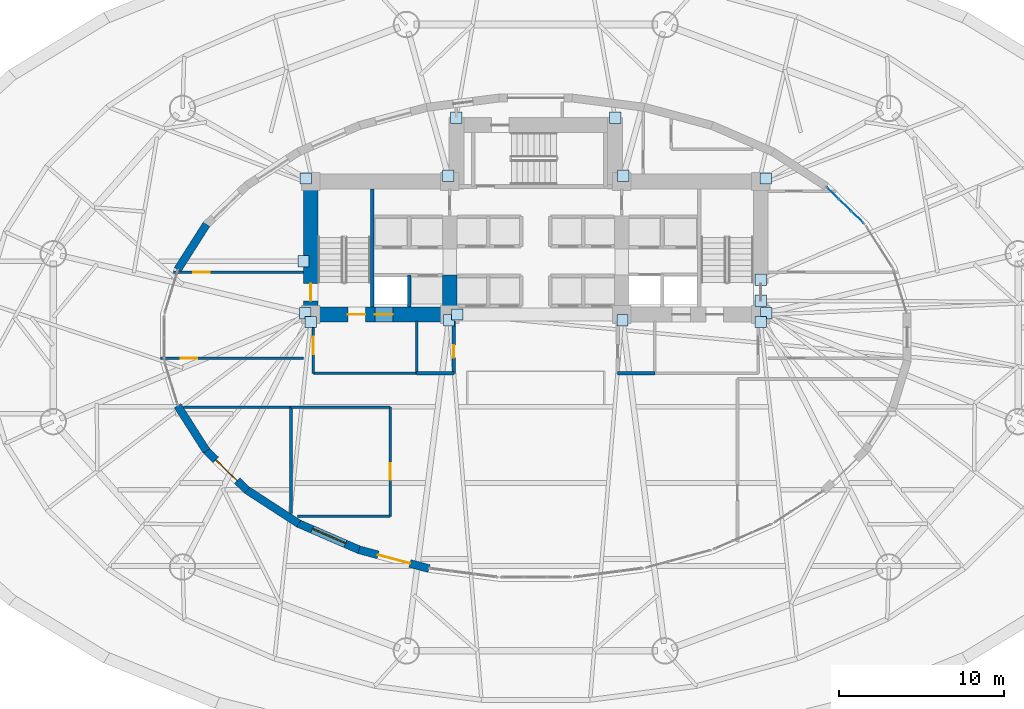
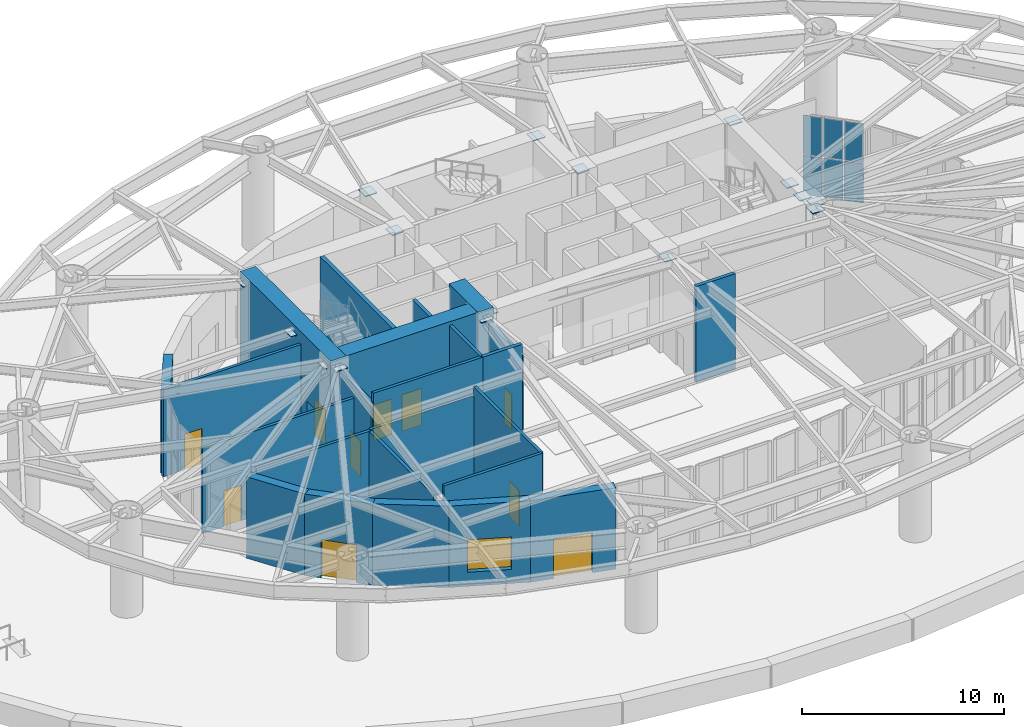
# One storey, part 13 of 21: 24 walls, 22 plates, 10 doors, 1 window, 11 openings, 1 element without a shape of its own.
"""IFC4 building model written with IfcOpenShell, lengths in metres."""

from ifc_helpers import new_model, si_unit, direction, frame, frame_2d, origin, origin_2d, place, context, subcontext, project, spatial, rectangle, extrude, material, layer, layer_set, type_object, element, fill, aggregate, save


model = new_model("IFC4")

# Units and contexts
model_context = context("Model", 3, precision=1e-05, world=origin(), true_north=direction((0.0, 1.0)))
body_context = subcontext(model_context, "Body", "Model", "MODEL_VIEW")
ifc_project = project(units=[si_unit("LENGTHUNIT", "METRE"), si_unit("AREAUNIT", "SQUARE_METRE"), si_unit("VOLUMEUNIT", "CUBIC_METRE"), si_unit("PLANEANGLEUNIT", "RADIAN"), si_unit("MASSUNIT", "GRAM", prefix="KILO")], contexts=[model_context])

# Site, building, storey
site_placement = place(None, origin())
site = spatial("IfcSite", under=ifc_project, at=site_placement, CompositionType="ELEMENT")
building_placement = place(site_placement, origin())
building = spatial("IfcBuilding", under=site, at=building_placement, Name="Keldmark Tower", CompositionType="ELEMENT")
storey_placement = place(building_placement, origin())
storey = spatial("IfcBuildingStorey", under=building, at=storey_placement, Name="L00", CompositionType="ELEMENT", Elevation=0.0)

# Plates
ifc_material_1 = material(Name="Steel ASTM A572 Grade 50", Category="steel")
ifc_layer_1 = layer(ifc_material_1, 0.06005859375)
ifc_layer_set_1 = layer_set([ifc_layer_1], Name="Steel ASTM A572 Grade 50")
plate_type_1 = type_object("IfcPlateType", Name="Belt Truss Kink Node Assembly KN01 60 mm", PredefinedType="USERDEFINED", material=ifc_layer_set_1)
for number, where, z_axis, x_axis, name in (
    (1, (13.940673828125, 1.48046875, 5.44140625), (0.0, 0.0, 1.0), (1.0, 0.0, 0.0), "L00 Core Wall Cast-In Embed Plate 017"),
    (2, (13.904296875, 9.623046875, 5.44140625), (0.0, 0.0, 1.0), (1.0, 0.0, 0.0), "L00 Core Wall Cast-In Embed Plate 018"),
    (3, (5.293212890625, 9.787353515625, 5.44140625), (0.0, 0.0, 1.0), (1.0, 0.0, 0.0), "L00 Core Wall Cast-In Embed Plate 019"),
    (4, (-5.293212890625, 9.787353515625, 5.44140625), (0.0, 0.0, 1.0), (1.0, 0.0, 0.0), "L00 Core Wall Cast-In Embed Plate 020"),
    (5, (-13.904296875, 9.623046875, 5.44140625), (0.0, 0.0, 1.0), (1.0, 0.0, 0.0), "L00 Core Wall Cast-In Embed Plate 021"),
    (6, (-13.940673828125, 1.48046875, 5.44140625), (0.0, 0.0, 1.0), (1.0, 0.0, 0.0), "L00 Core Wall Cast-In Embed Plate 022"),
    (7, (-5.24462890625, 1.052978515625, 5.44140625), (0.0, 0.0, 1.0), (1.0, 0.0, 0.0), "L00 Core Wall Cast-In Embed Plate 023"),
    (8, (5.24462890625, 1.052978515625, 5.44140625), (0.0, 0.0, 1.0), (1.0, 0.0, 0.0), "L00 Core Wall Cast-In Embed Plate 024"),
    (9, (13.60009765625, 2.228515625, 5.48388671875), (0.0, 0.0, 1.0), (1.0, 0.0, 0.0), "L00 Core Wall Cast-In Embed Plate 025"),
    (10, (13.60009765625, 3.507080078125, 5.48388671875), (0.0, 0.0, 1.0), (1.0, 0.0, 0.0), "L00 Core Wall Cast-In Embed Plate 026"),
    (11, (4.800048828125, 13.300048828125, 5.48388671875), (0.0, 0.0, 1.0), (1.0, 0.0, 0.0), "L00 Core Wall Cast-In Embed Plate 027"),
    (12, (-4.800048828125, 13.300048828125, 5.48388671875), (0.0, 0.0, 1.0), (1.0, 0.0, 0.0), "L00 Core Wall Cast-In Embed Plate 028"),
    (13, (-13.60009765625, 0.949951171875, 5.48388671875), (0.0, 0.0, 1.0), (1.0, 0.0, 0.0), "L00 Core Wall Cast-In Embed Plate 029"),
    (14, (13.60009765625, 0.949951171875, 5.48388671875), (0.0, 0.0, 1.0), (1.0, 0.0, 0.0), "L00 Core Wall Cast-In Embed Plate 030"),
    (15, (-4.75, 1.39990234375, 5.48388671875), (0.0, 0.0, 1.0), (1.0, 0.0, 0.0), "L00 Core Wall Cast-In Embed Plate 031"),
    (16, (-14.044921875, 4.6201171875, 5.52099609375), (0.0, 0.0, 1.0), (1.0, 0.0, 0.0), "L00 Core Wall Cast-In Embed Plate 032"),
):
    element("IfcPlate", number, at=place(storey_placement, frame(where, z_axis=z_axis, x_axis=x_axis)), inside=storey, type_object=plate_type_1, Name=name, ObjectType="CAP PLATE", PredefinedType="USERDEFINED", context=body_context, shape_type="SweptSolid", body=[
        extrude(rectangle(XDim=0.679931640625, YDim=0.679931640625, at=origin_2d()), origin(), (0.0, 0.0, 1.0), 0.054931640625),
    ])

# Curtain wall, plates
ifc_material_2 = material(Name="Unitized Thermally Broken Aluminum and Triple Low-E Glazing", Category="aluminium")
ifc_layer_2 = layer(ifc_material_2, 0.219970703125)
ifc_layer_set_2 = layer_set([ifc_layer_2], Name="Unitized Thermally Broken Aluminum and Triple Low-E Glazing")
curtain_wall_type = type_object("IfcCurtainWallType", Name="Skyway Entry Glazed Curtain Wall System", PredefinedType="NOTDEFINED", material=ifc_layer_set_2)
curtain_wall_placement = place(storey_placement, origin())
curtain_wall = element("IfcCurtainWall", 17, at=curtain_wall_placement, inside=storey, type_object=curtain_wall_type, Name="L00 Skyway Entry Glazed Curtain Wall System CW-L00-03", PredefinedType="NOTDEFINED")
ifc_material_3 = material(Name="Triple Silver Low-E Insulated Glass Unit", Category="glass")
ifc_layer_3 = layer(ifc_material_3, 0.035888671875)
ifc_layer_set_3 = layer_set([ifc_layer_3], Name="Triple Silver Low-E Insulated Glass Unit")
plate_type_2 = type_object("IfcPlateType", Name="Triple Low-E Vision Glazing Panel 36 mm", PredefinedType="CURTAIN_PANEL", material=ifc_layer_set_3)
plate_1_placement = place(storey_placement, frame((19.448974609375, 7.2822265625, 0.06005859375), z_axis=(0.0, 0.0, 1.0), x_axis=(-0.717293292608, 0.696771363059, 0.0)))
plate_1 = element("IfcPlate", 18, at=plate_1_placement, type_object=plate_type_2, Name="CW panel 1.1", PredefinedType="CURTAIN_PANEL", context=body_context, shape_type="SweptSolid", body=[
    extrude(rectangle(XDim=0.970703125, YDim=0.035888671875, at=origin_2d()), origin(), (0.0, 0.0, 1.0), 2.364501953125),
])
plate_2_placement = place(storey_placement, frame((19.448974609375, 7.2822265625, 2.484375), z_axis=(0.0, 0.0, 1.0), x_axis=(-0.717293292608, 0.696771363059, 0.0)))
plate_2 = element("IfcPlate", 19, at=plate_2_placement, type_object=plate_type_2, Name="CW panel 1.2", PredefinedType="CURTAIN_PANEL", context=body_context, shape_type="SweptSolid", body=[
    extrude(rectangle(XDim=0.970703125, YDim=0.035888671875, at=origin_2d()), origin(), (0.0, 0.0, 1.0), 2.364501953125),
])
plate_3_placement = place(storey_placement, frame((18.698974609375, 8.0107421875, 0.06005859375), z_axis=(0.0, 0.0, 1.0), x_axis=(-0.717293292608, 0.696771363059, 0.0)))
plate_3 = element("IfcPlate", 20, at=plate_3_placement, type_object=plate_type_2, Name="CW panel 2.1", PredefinedType="CURTAIN_PANEL", context=body_context, shape_type="SweptSolid", body=[
    extrude(rectangle(XDim=1.000732421875, YDim=0.035888671875, at=origin_2d()), origin(), (0.0, 0.0, 1.0), 2.364501953125),
])
plate_4_placement = place(storey_placement, frame((18.698974609375, 8.0107421875, 2.484375), z_axis=(0.0, 0.0, 1.0), x_axis=(-0.717293292608, 0.696771363059, 0.0)))
plate_4 = element("IfcPlate", 21, at=plate_4_placement, type_object=plate_type_2, Name="CW panel 2.2", PredefinedType="CURTAIN_PANEL", context=body_context, shape_type="SweptSolid", body=[
    extrude(rectangle(XDim=1.000732421875, YDim=0.035888671875, at=origin_2d()), origin(), (0.0, 0.0, 1.0), 2.364501953125),
])
plate_5_placement = place(storey_placement, frame((17.948974609375, 8.7392578125, 0.06005859375), z_axis=(0.0, 0.0, 1.0), x_axis=(-0.717293292608, 0.696771363059, 0.0)))
plate_5 = element("IfcPlate", 22, at=plate_5_placement, type_object=plate_type_2, Name="CW panel 3.1", PredefinedType="CURTAIN_PANEL", context=body_context, shape_type="SweptSolid", body=[
    extrude(rectangle(XDim=0.970703125, YDim=0.035888671875, at=origin_2d()), origin(), (0.0, 0.0, 1.0), 2.364501953125),
])
plate_6_placement = place(storey_placement, frame((17.948974609375, 8.7392578125, 2.484375), z_axis=(0.0, 0.0, 1.0), x_axis=(-0.717293292608, 0.696771363059, 0.0)))
plate_6 = element("IfcPlate", 23, at=plate_6_placement, type_object=plate_type_2, Name="CW panel 3.2", PredefinedType="CURTAIN_PANEL", context=body_context, shape_type="SweptSolid", body=[
    extrude(rectangle(XDim=0.970703125, YDim=0.035888671875, at=origin_2d()), origin(), (0.0, 0.0, 1.0), 2.364501953125),
])
aggregate(curtain_wall, [plate_1, plate_2, plate_3, plate_4, plate_5, plate_6])

# Wall, opening, door
ifc_material_4 = material(Name="Concrete C70/85", Category="concrete")
ifc_layer_4 = layer(ifc_material_4, 0.89990234375)
ifc_layer_set_4 = layer_set([ifc_layer_4], Name="Concrete C70/85")
wall_type_1 = type_object("IfcWallType", Name="Lower Core Shear Wall 900 mm", PredefinedType="SHEAR", material=ifc_layer_set_4)
wall_1_placement = place(storey_placement, frame((-13.60009765625, 0.949951171875, 0.0), z_axis=(0.0, 0.0, 1.0), x_axis=(0.0, 1.0, 0.0)))
wall_1 = element("IfcWall", 24, at=wall_1_placement, inside=storey, type_object=wall_type_1, Name="L00 West Core Outer Shear Wall", PredefinedType="SHEAR", context=body_context, shape_type="SweptSolid", body=[
    extrude(rectangle(XDim=8.949951171875, YDim=0.89990234375, at=frame_2d((4.47509765625, 0.0))), origin(), (0.0, 0.0, 1.0), 6.0),
])
opening_1_placement = place(wall_1_placement, frame((1.27001953125, 0.0, 0.0)))
opening_1 = element("IfcOpeningElement", 25, at=opening_1_placement, cuts=wall_1, Name="Opening D-ST105", PredefinedType="OPENING", context=body_context, shape_type="SweptSolid", body=[
    extrude(rectangle(XDim=1.050048828125, YDim=2.14990234375, at=frame_2d((0.52490234375, 1.074951171875))), frame((0.0, 0.4599609375, 0.0), z_axis=(0.0, -1.0, 0.0), x_axis=(1.0, 0.0, 0.0)), (0.0, 0.0, 1.0), 0.919921875),
])
ifc_material_5 = material(Name="Hollow Metal Fire-Rated Door Assembly", Category="metal")
door_type_1 = type_object("IfcDoorType", Name="Stair Fire Door 1050x2150", OperationType="NOTDEFINED", PredefinedType="DOOR", material=ifc_material_5)
door_1_placement = place(opening_1_placement, origin())
door_1 = element("IfcDoor", 26, at=door_1_placement, inside=storey, type_object=door_type_1, Name="L00 Stair Fire Door 1050x2150 D-ST1-EXW-L00", OperationType="SINGLE_SWING_RIGHT", OverallHeight=2.14990234375, OverallWidth=1.050048828125, PredefinedType="DOOR", context=body_context, shape_type="SweptSolid", body=[
    extrude(rectangle(XDim=1.050048828125, YDim=2.14990234375, at=frame_2d((0.52490234375, 1.074951171875))), frame((0.0, 0.02490234375, 0.0), z_axis=(0.0, -1.0, 0.0), x_axis=(1.0, 0.0, 0.0)), (0.0, 0.0, 1.0), 0.050048828125),
])
fill(opening_1, door_1)

# Wall, openings, doors
wall_2_placement = place(storey_placement, frame((-4.75, 1.39990234375, 0.0), z_axis=(0.0, 0.0, 1.0), x_axis=(-1.0, 0.0, 0.0)))
wall_2 = element("IfcWall", 27, at=wall_2_placement, inside=storey, type_object=wall_type_1, Name="L00 West Core South Shear Wall", PredefinedType="SHEAR", context=body_context, shape_type="SweptSolid", body=[
    extrude(rectangle(XDim=9.300048828125, YDim=0.89990234375, at=frame_2d((4.64990234375, 0.0))), origin(), (0.0, 0.0, 1.0), 6.0),
])
opening_2_placement = place(wall_2_placement, frame((5.550048828125, 0.0, 0.0)))
opening_2 = element("IfcOpeningElement", 28, at=opening_2_placement, cuts=wall_2, Name="Opening D-ST105", PredefinedType="OPENING", context=body_context, shape_type="SweptSolid", body=[
    extrude(rectangle(XDim=1.050048828125, YDim=2.14990234375, at=frame_2d((0.52490234375, 1.074951171875))), frame((0.0, 0.4599609375, 0.0), z_axis=(0.0, -1.0, 0.0), x_axis=(1.0, 0.0, 0.0)), (0.0, 0.0, 1.0), 0.919921875),
])
opening_3_placement = place(wall_2_placement, frame((3.8798828125, 0.0, 0.0)))
opening_3 = element("IfcOpeningElement", 29, at=opening_3_placement, cuts=wall_2, Name="Opening LD-110", PredefinedType="OPENING", context=body_context, shape_type="SweptSolid", body=[
    extrude(rectangle(XDim=1.10009765625, YDim=2.199951171875, at=frame_2d((0.550048828125, 1.10009765625))), frame((0.0, 0.4599609375, 0.0), z_axis=(0.0, -1.0, 0.0), x_axis=(1.0, 0.0, 0.0)), (0.0, 0.0, 1.0), 0.919921875),
])
ifc_material_6 = material(Name="Brushed Bronze Hoistway Sliding Leaf", Category="metal")
door_type_2 = type_object("IfcDoorType", Name="Lift Landing Sliding Door 1100x2200", OperationType="SLIDING_TO_LEFT", PredefinedType="DOOR", material=ifc_material_6)
door_2_placement = place(opening_3_placement, origin())
door_2 = element("IfcDoor", 30, at=door_2_placement, inside=storey, type_object=door_type_2, Name="L00 Lift Landing Sliding Door 1100x2200 LD-EL-FS1-L00", OperationType="SLIDING_TO_LEFT", OverallHeight=2.199951171875, OverallWidth=1.10009765625, PredefinedType="DOOR", context=body_context, shape_type="SweptSolid", body=[
    extrude(rectangle(XDim=1.10009765625, YDim=2.199951171875, at=frame_2d((0.550048828125, 1.10009765625))), frame((0.0, 0.02490234375, 0.0), z_axis=(0.0, -1.0, 0.0), x_axis=(1.0, 0.0, 0.0)), (0.0, 0.0, 1.0), 0.050048828125),
])
fill(opening_3, door_2)
door_3_placement = place(opening_2_placement, origin())
door_3 = element("IfcDoor", 31, at=door_3_placement, inside=storey, type_object=door_type_1, Name="L00 Stair Fire Door 1050x2150 D-ST1-L00", OperationType="SINGLE_SWING_RIGHT", OverallHeight=2.14990234375, OverallWidth=1.050048828125, PredefinedType="DOOR", context=body_context, shape_type="SweptSolid", body=[
    extrude(rectangle(XDim=1.050048828125, YDim=2.14990234375, at=frame_2d((0.52490234375, 1.074951171875))), frame((0.0, 0.02490234375, 0.0), z_axis=(0.0, -1.0, 0.0), x_axis=(1.0, 0.0, 0.0)), (0.0, 0.0, 1.0), 0.050048828125),
])
fill(opening_2, door_3)

# Walls
wall_3_placement = place(storey_placement, frame((-5.199951171875, 0.949951171875, 0.0), z_axis=(0.0, 0.0, 1.0), x_axis=(0.0, 1.0, 0.0)))
element("IfcWall", 32, at=wall_3_placement, inside=storey, type_object=wall_type_1, Name="L00 West Core Inner Shear Pier South", PredefinedType="SHEAR", context=body_context, shape_type="SweptSolid", body=[
    extrude(rectangle(XDim=2.85009765625, YDim=0.89990234375, at=frame_2d((1.425048828125, 0.0))), origin(), (0.0, 0.0, 1.0), 6.0),
])
ifc_material_7 = material(Name="Ironspot Manganese Brick and Kasota Buff Limestone Cavity Assembly", Category="masonry")
ifc_layer_5 = layer(ifc_material_7, 0.47998046875)
ifc_layer_set_5 = layer_set([ifc_layer_5], Name="Ironspot Manganese Brick and Kasota Buff Limestone Cavity Assembly")
wall_type_2 = type_object("IfcWallType", Name="Podium Brick and Limestone Cavity Wall 480 mm", PredefinedType="STANDARD", material=ifc_layer_set_5)
for number, where, z_axis, x_axis, name in (
    (33, (-21.65087890625, 4.1123046875, 0.0), (0.0, 0.0, 1.0), (0.537902363654, 0.843007145388, 0.0), "L00 Wintergarden Brick Pier Wall 14"),
    (34, (-19.905517578125, -6.84765625, 0.0), (0.0, 0.0, 1.0), (-0.537902363654, 0.843007145388, 0.0), "L00 Wintergarden Brick Pier Wall 18"),
):
    element("IfcWall", number, at=place(storey_placement, frame(where, z_axis=z_axis, x_axis=x_axis)), inside=storey, type_object=wall_type_2, Name=name, PredefinedType="STANDARD", context=body_context, shape_type="SweptSolid", body=[
        extrude(rectangle(XDim=3.244873046875, YDim=0.47998046875, at=frame_2d((1.62255859375, 0.0))), origin(), (0.0, 0.0, 1.0), 4.9130859375),
    ])

# Wall, opening, door
wall_4_placement = place(storey_placement, frame((-17.45751953125, -9.216796875, 0.0), z_axis=(0.0, 0.0, 1.0), x_axis=(-0.717293479468, 0.696771170696, 0.0)))
wall_4 = element("IfcWall", 35, at=wall_4_placement, inside=storey, type_object=wall_type_2, Name="L00 Wintergarden Brick Pier Wall 19", PredefinedType="STANDARD", context=body_context, shape_type="SweptSolid", body=[
    extrude(rectangle(XDim=3.4619140625, YDim=0.47998046875, at=frame_2d((1.73095703125, 0.0))), origin(), (0.0, 0.0, 1.0), 4.9130859375),
])
opening_4_placement = place(wall_4_placement, frame((0.8310546875, 0.0, 0.0)))
opening_4 = element("IfcOpeningElement", 36, at=opening_4_placement, cuts=wall_4, Name="Opening ED-02", PredefinedType="OPENING", context=body_context, shape_type="SweptSolid", body=[
    extrude(rectangle(XDim=1.800048828125, YDim=2.300048828125, at=frame_2d((0.89990234375, 1.14990234375))), frame((0.0, 0.25, 0.0), z_axis=(0.0, -1.0, 0.0), x_axis=(1.0, 0.0, 0.0)), (0.0, 0.0, 1.0), 0.5),
])
ifc_material_8 = material(Name="Thermally Broken Painted Aluminum and Laminated Safety Glass", Category="aluminium")
door_type_3 = type_object("IfcDoorType", Name="Street Retail Entrance Door 1800x2300", OperationType="DOUBLE_DOOR_SINGLE_SWING", PredefinedType="DOOR", material=ifc_material_8)
door_4_placement = place(opening_4_placement, origin())
door_4 = element("IfcDoor", 37, at=door_4_placement, inside=storey, type_object=door_type_3, Name="L00 Street Retail Corner Entrance", OperationType="DOUBLE_DOOR_SINGLE_SWING", OverallHeight=2.300048828125, OverallWidth=1.800048828125, PredefinedType="DOOR", context=body_context, shape_type="SweptSolid", body=[
    extrude(rectangle(XDim=1.800048828125, YDim=2.300048828125, at=frame_2d((0.89990234375, 1.14990234375))), frame((0.0, 0.02490234375, 0.0), z_axis=(0.0, -1.0, 0.0), x_axis=(1.0, 0.0, 0.0)), (0.0, 0.0, 1.0), 0.050048828125),
])
fill(opening_4, door_4)

# Wall
wall_5_placement = place(storey_placement, frame((-14.33349609375, -11.2392578125, 0.0), z_axis=(0.0, 0.0, 1.0), x_axis=(-0.838776546814, 0.544475807098, 0.0)))
element("IfcWall", 38, at=wall_5_placement, inside=storey, type_object=wall_type_2, Name="L00 Wintergarden Brick Pier Wall 20", PredefinedType="STANDARD", context=body_context, shape_type="SweptSolid", body=[
    extrude(rectangle(XDim=3.767822265625, YDim=0.47998046875, at=frame_2d((1.8837890625, 0.0))), origin(), (0.0, 0.0, 1.0), 4.9130859375),
])

# Wall, opening, window
wall_6_placement = place(storey_placement, frame((-10.65234375, -12.832275390625, 0.0), z_axis=(0.0, 0.0, 1.0), x_axis=(-0.917428047281, 0.3979017191, 0.0)))
wall_6 = element("IfcWall", 39, at=wall_6_placement, inside=storey, type_object=wall_type_2, Name="L00 Wintergarden Brick Pier Wall 21", PredefinedType="STANDARD", context=body_context, shape_type="SweptSolid", body=[
    extrude(rectangle(XDim=4.05078125, YDim=0.47998046875, at=frame_2d((2.025390625, 0.0))), origin(), (0.0, 0.0, 1.0), 4.9130859375),
])
opening_5_placement = place(wall_6_placement, frame((0.92529296875, 0.0, 0.85009765625)))
opening_5 = element("IfcOpeningElement", 40, at=opening_5_placement, cuts=wall_6, Name="Opening W-01", PredefinedType="OPENING", context=body_context, shape_type="SweptSolid", body=[
    extrude(rectangle(XDim=2.199951171875, YDim=1.949951171875, at=frame_2d((1.10009765625, 0.97509765625))), frame((0.0, 0.25, 0.0), z_axis=(0.0, -1.0, 0.0), x_axis=(1.0, 0.0, 0.0)), (0.0, 0.0, 1.0), 0.5),
])
ifc_material_9 = material(Name="Thermally Broken Anodized Aluminum and Triple Low-E Argon Glazing", Category="aluminium")
window_type = type_object("IfcWindowType", Name="Podium Arched-Head Punched Window 2200x1950", PartitioningType="SINGLE_PANEL", PredefinedType="WINDOW", material=ifc_material_9)
window_placement = place(opening_5_placement, origin())
window = element("IfcWindow", 41, at=window_placement, inside=storey, type_object=window_type, Name="L00 Wintergarden Punched Window 21", OverallHeight=1.949951171875, OverallWidth=2.199951171875, PartitioningType="SINGLE_PANEL", PredefinedType="WINDOW", context=body_context, shape_type="SweptSolid", body=[
    extrude(rectangle(XDim=2.199951171875, YDim=1.949951171875, at=frame_2d((1.10009765625, 0.97509765625))), frame((0.0, -0.010009765625, 0.0), z_axis=(0.0, -1.0, 0.0), x_axis=(1.0, 0.0, 0.0)), (0.0, 0.0, 1.0), 0.06005859375),
])
fill(opening_5, window)

# Wall, opening, door
wall_7_placement = place(storey_placement, frame((-6.449951171875, -13.95947265625, 0.0), z_axis=(0.0, 0.0, 1.0), x_axis=(-0.965697937954, 0.259668043147, 0.0)))
wall_7 = element("IfcWall", 42, at=wall_7_placement, inside=storey, type_object=wall_type_2, Name="L00 Wintergarden Brick Pier Wall 22", PredefinedType="STANDARD", context=body_context, shape_type="SweptSolid", body=[
    extrude(rectangle(XDim=4.385986328125, YDim=0.47998046875, at=frame_2d((2.19287109375, 0.0))), origin(), (0.0, 0.0, 1.0), 4.9130859375),
])
opening_6_placement = place(wall_7_placement, frame((1.193115234375, 0.0, 0.0)))
opening_6 = element("IfcOpeningElement", 43, at=opening_6_placement, cuts=wall_7, Name="Opening ED-01", PredefinedType="OPENING", context=body_context, shape_type="SweptSolid", body=[
    extrude(rectangle(XDim=2.0, YDim=2.39990234375, at=frame_2d((1.0, 1.199951171875))), frame((0.0, 0.25, 0.0), z_axis=(0.0, -1.0, 0.0), x_axis=(1.0, 0.0, 0.0)), (0.0, 0.0, 1.0), 0.5),
])
ifc_material_10 = material(Name="Thermally Broken Painted Aluminum and Laminated Safety Glass", Category="aluminium")
door_type_4 = type_object("IfcDoorType", Name="Main Revolving Vestibule Swing Door 2000x2400", OperationType="DOUBLE_DOOR_DOUBLE_SWING", PredefinedType="DOOR", material=ifc_material_10)
door_5_placement = place(opening_6_placement, origin())
door_5 = element("IfcDoor", 44, at=door_5_placement, inside=storey, type_object=door_type_4, Name="L00 Nicollet Plaza Main Entrance Door West", OperationType="DOUBLE_DOOR_DOUBLE_SWING", OverallHeight=2.39990234375, OverallWidth=2.0, PredefinedType="DOOR", context=body_context, shape_type="SweptSolid", body=[
    extrude(rectangle(XDim=2.0, YDim=2.39990234375, at=frame_2d((1.0, 1.199951171875))), frame((0.0, 0.02490234375, 0.0), z_axis=(0.0, -1.0, 0.0), x_axis=(1.0, 0.0, 0.0)), (0.0, 0.0, 1.0), 0.050048828125),
])
fill(opening_6, door_5)

# Wall
ifc_material_11 = material(Name="Type X Fire-Rated Gypsum Partition Assembly", Category="gypsum")
ifc_layer_6 = layer(ifc_material_11, 0.1650390625)
ifc_layer_set_6 = layer_set([ifc_layer_6], Name="Type X Fire-Rated Gypsum Partition Assembly")
wall_type_3 = type_object("IfcWallType", Name="Rated Partition 165 mm", PredefinedType="PARTITIONING", material=ifc_layer_set_6)
wall_8_placement = place(storey_placement, frame((-13.449951171875, -2.14990234375, 0.0), z_axis=(0.0, 0.0, 1.0), x_axis=(1.0, 0.0, 0.0)))
element("IfcWall", 45, at=wall_8_placement, inside=storey, type_object=wall_type_3, Name="L00 Rated Partition 165 mm FSAE-W-S", PredefinedType="PARTITIONING", context=body_context, shape_type="SweptSolid", body=[
    extrude(rectangle(XDim=6.25, YDim=0.1650390625, at=frame_2d((3.125, 0.0))), origin(), (0.0, 0.0, 1.0), 5.780029296875),
])

# Wall, opening, door
wall_9_placement = place(storey_placement, frame((-13.449951171875, -2.14990234375, 0.0), z_axis=(0.0, 0.0, 1.0), x_axis=(0.0, 1.0, 0.0)))
wall_9 = element("IfcWall", 46, at=wall_9_placement, inside=storey, type_object=wall_type_3, Name="L00 Rated Partition 165 mm FSAE-W-W", PredefinedType="PARTITIONING", context=body_context, shape_type="SweptSolid", body=[
    extrude(rectangle(XDim=3.14990234375, YDim=0.1650390625, at=frame_2d((1.574951171875, 0.0))), origin(), (0.0, 0.0, 1.0), 5.23291015625),
])
opening_7_placement = place(wall_9_placement, frame((1.14990234375, 0.0, 0.0)))
opening_7 = element("IfcOpeningElement", 47, at=opening_7_placement, cuts=wall_9, Name="Opening D-FL105", PredefinedType="OPENING", context=body_context, shape_type="SweptSolid", body=[
    extrude(rectangle(XDim=1.050048828125, YDim=2.14990234375, at=frame_2d((0.52490234375, 1.074951171875))), frame((0.0, 0.092529296875, 0.0), z_axis=(0.0, -1.0, 0.0), x_axis=(1.0, 0.0, 0.0)), (0.0, 0.0, 1.0), 0.18505859375),
])
ifc_material_12 = material(Name="Fire-Rated Mineral-Core Door and Vision Lite", Category="metal")
door_type_5 = type_object("IfcDoorType", Name="Fire Lobby Door 1050x2150", OperationType="NOTDEFINED", PredefinedType="DOOR", material=ifc_material_12)
door_6_placement = place(opening_7_placement, origin())
door_6 = element("IfcDoor", 48, at=door_6_placement, inside=storey, type_object=door_type_5, Name="L00 Fire Lobby Door 1050x2150 D-FSAEW-OUT-L00", OperationType="SINGLE_SWING_LEFT", OverallHeight=2.14990234375, OverallWidth=1.050048828125, PredefinedType="DOOR", context=body_context, shape_type="SweptSolid", body=[
    extrude(rectangle(XDim=1.050048828125, YDim=2.14990234375, at=frame_2d((0.52490234375, 1.074951171875))), frame((0.0, 0.02490234375, 0.0), z_axis=(0.0, -1.0, 0.0), x_axis=(1.0, 0.0, 0.0)), (0.0, 0.0, 1.0), 0.050048828125),
])
fill(opening_7, door_6)

# Walls
wall_10_placement = place(storey_placement, frame((-7.199951171875, -2.14990234375, 0.0), z_axis=(0.0, 0.0, 1.0), x_axis=(0.0, 1.0, 0.0)))
element("IfcWall", 49, at=wall_10_placement, inside=storey, type_object=wall_type_3, Name="L00 Rated Partition 165 mm FSAE-W-E", PredefinedType="PARTITIONING", context=body_context, shape_type="SweptSolid", body=[
    extrude(rectangle(XDim=3.14990234375, YDim=0.1650390625, at=frame_2d((1.574951171875, 0.0))), origin(), (0.0, 0.0, 1.0), 5.780029296875),
])
wall_11_placement = place(storey_placement, frame((-14.800048828125, -10.640869140625, 0.0), z_axis=(0.0, 0.0, 1.0), x_axis=(0.0, 1.0, 0.0)))
element("IfcWall", 50, at=wall_11_placement, inside=storey, type_object=wall_type_3, Name="L00 Rated Partition 165 mm FCC-W", PredefinedType="PARTITIONING", context=body_context, shape_type="SweptSolid", body=[
    extrude(rectangle(XDim=6.44091796875, YDim=0.1650390625, at=frame_2d((3.220458984375, 0.0))), origin(), (0.0, 0.0, 1.0), 5.23291015625),
])

# Wall, opening, door
wall_12_placement = place(storey_placement, frame((-8.800048828125, -10.800048828125, 0.0), z_axis=(0.0, 0.0, 1.0), x_axis=(0.0, 1.0, 0.0)))
wall_12 = element("IfcWall", 51, at=wall_12_placement, inside=storey, type_object=wall_type_3, Name="L00 Rated Partition 165 mm FCC-E", PredefinedType="PARTITIONING", context=body_context, shape_type="SweptSolid", body=[
    extrude(rectangle(XDim=6.60009765625, YDim=0.1650390625, at=frame_2d((3.300048828125, 0.0))), origin(), (0.0, 0.0, 1.0), 5.780029296875),
])
opening_8_placement = place(wall_12_placement, frame((2.199951171875, 0.0, 0.0)))
opening_8 = element("IfcOpeningElement", 52, at=opening_8_placement, cuts=wall_12, Name="Opening D-FD100", PredefinedType="OPENING", context=body_context, shape_type="SweptSolid", body=[
    extrude(rectangle(XDim=1.0, YDim=2.14990234375, at=frame_2d((0.5, 1.074951171875))), frame((0.0, 0.092529296875, 0.0), z_axis=(0.0, -1.0, 0.0), x_axis=(1.0, 0.0, 0.0)), (0.0, 0.0, 1.0), 0.18505859375),
])
ifc_material_13 = material(Name="Hollow Metal Fire-Rated Corridor Door", Category="metal")
door_type_6 = type_object("IfcDoorType", Name="Fire Door 1000x2150", OperationType="NOTDEFINED", PredefinedType="DOOR", material=ifc_material_13)
door_7_placement = place(opening_8_placement, origin())
door_7 = element("IfcDoor", 53, at=door_7_placement, inside=storey, type_object=door_type_6, Name="L00 Fire Door 1000x2150 D-FCC-IN-L00", OperationType="SINGLE_SWING_RIGHT", OverallHeight=2.14990234375, OverallWidth=1.0, PredefinedType="DOOR", context=body_context, shape_type="SweptSolid", body=[
    extrude(rectangle(XDim=1.0, YDim=2.14990234375, at=frame_2d((0.5, 1.074951171875))), frame((0.0, 0.02490234375, 0.0), z_axis=(0.0, -1.0, 0.0), x_axis=(1.0, 0.0, 0.0)), (0.0, 0.0, 1.0), 0.050048828125),
])
fill(opening_8, door_7)

# Walls
wall_13_placement = place(storey_placement, frame((-14.4033203125, -10.800048828125, 0.0), z_axis=(0.0, 0.0, 1.0), x_axis=(1.0, 0.0, 0.0)))
element("IfcWall", 54, at=wall_13_placement, inside=storey, type_object=wall_type_3, Name="L00 Rated Partition 165 mm FCC-S", PredefinedType="PARTITIONING", context=body_context, shape_type="SweptSolid", body=[
    extrude(rectangle(XDim=5.603271484375, YDim=0.1650390625, at=frame_2d((2.8017578125, 0.0))), origin(), (0.0, 0.0, 1.0), 5.780029296875),
])
wall_14_placement = place(storey_placement, frame((-14.800048828125, -4.199951171875, 0.0), z_axis=(0.0, 0.0, 1.0), x_axis=(1.0, 0.0, 0.0)))
element("IfcWall", 55, at=wall_14_placement, inside=storey, type_object=wall_type_3, Name="L00 Rated Partition 165 mm FCC-N", PredefinedType="PARTITIONING", context=body_context, shape_type="SweptSolid", body=[
    extrude(rectangle(XDim=6.0, YDim=0.1650390625, at=frame_2d((3.0, 0.0))), origin(), (0.0, 0.0, 1.0), 5.306884765625),
])
wall_15_placement = place(storey_placement, frame((-21.30078125, -4.199951171875, 0.0), z_axis=(0.0, 0.0, 1.0), x_axis=(1.0, 0.0, 0.0)))
element("IfcWall", 56, at=wall_15_placement, inside=storey, type_object=wall_type_3, Name="L00 Rated Partition 165 mm RET-W-N", PredefinedType="PARTITIONING", context=body_context, shape_type="SweptSolid", body=[
    extrude(rectangle(XDim=6.500732421875, YDim=0.1650390625, at=frame_2d((3.25048828125, 0.0))), origin(), (0.0, 0.0, 1.0), 5.23291015625),
])

# Wall, opening, door
wall_16_placement = place(storey_placement, frame((-22.68017578125, -1.25, 0.0), z_axis=(0.0, 0.0, 1.0), x_axis=(1.0, 0.0, 0.0)))
wall_16 = element("IfcWall", 57, at=wall_16_placement, inside=storey, type_object=wall_type_3, Name="L00 Rated Partition 165 mm EXW-S", PredefinedType="PARTITIONING", context=body_context, shape_type="SweptSolid", body=[
    extrude(rectangle(XDim=8.630126953125, YDim=0.1650390625, at=frame_2d((4.31494140625, 0.0))), origin(), (0.0, 0.0, 1.0), 5.14794921875),
])
opening_9_placement = place(wall_16_placement, frame((1.219970703125, 0.0, 0.0)))
opening_9 = element("IfcOpeningElement", 58, at=opening_9_placement, cuts=wall_16, Name="Opening D-FD100", PredefinedType="OPENING", context=body_context, shape_type="SweptSolid", body=[
    extrude(rectangle(XDim=1.0, YDim=2.14990234375, at=frame_2d((0.5, 1.074951171875))), frame((0.0, 0.092529296875, 0.0), z_axis=(0.0, -1.0, 0.0), x_axis=(1.0, 0.0, 0.0)), (0.0, 0.0, 1.0), 0.18505859375),
])
door_8_placement = place(opening_9_placement, origin())
door_8 = element("IfcDoor", 59, at=door_8_placement, inside=storey, type_object=door_type_6, Name="L00 Fire Door 1000x2150 D-EXWS-OUT-L00", OperationType="SINGLE_SWING_LEFT", OverallHeight=2.14990234375, OverallWidth=1.0, PredefinedType="DOOR", context=body_context, shape_type="SweptSolid", body=[
    extrude(rectangle(XDim=1.0, YDim=2.14990234375, at=frame_2d((0.5, 1.074951171875))), frame((0.0, 0.02490234375, 0.0), z_axis=(0.0, -1.0, 0.0), x_axis=(1.0, 0.0, 0.0)), (0.0, 0.0, 1.0), 0.050048828125),
])
fill(opening_9, door_8)

wall_17_placement = place(storey_placement, frame((-21.913818359375, 3.949951171875, 0.0), z_axis=(0.0, 0.0, 1.0), x_axis=(1.0, 0.0, 0.0)))
wall_17 = element("IfcWall", 60, at=wall_17_placement, inside=storey, type_object=wall_type_3, Name="L00 Rated Partition 165 mm EXW-N", PredefinedType="PARTITIONING", context=body_context, shape_type="SweptSolid", body=[
    extrude(rectangle(XDim=7.86376953125, YDim=0.1650390625, at=frame_2d((3.931884765625, 0.0))), origin(), (0.0, 0.0, 1.0), 5.23291015625),
])
opening_10_placement = place(wall_17_placement, frame((1.20947265625, 0.0, 0.0)))
opening_10 = element("IfcOpeningElement", 61, at=opening_10_placement, cuts=wall_17, Name="Opening D-FD100", PredefinedType="OPENING", context=body_context, shape_type="SweptSolid", body=[
    extrude(rectangle(XDim=1.0, YDim=2.14990234375, at=frame_2d((0.5, 1.074951171875))), frame((0.0, 0.092529296875, 0.0), z_axis=(0.0, -1.0, 0.0), x_axis=(1.0, 0.0, 0.0)), (0.0, 0.0, 1.0), 0.18505859375),
])
door_9_placement = place(opening_10_placement, origin())
door_9 = element("IfcDoor", 62, at=door_9_placement, inside=storey, type_object=door_type_6, Name="L00 Fire Door 1000x2150 D-EXWN-PASS-L00", OperationType="SINGLE_SWING_RIGHT", OverallHeight=2.14990234375, OverallWidth=1.0, PredefinedType="DOOR", context=body_context, shape_type="SweptSolid", body=[
    extrude(rectangle(XDim=1.0, YDim=2.14990234375, at=frame_2d((0.5, 1.074951171875))), frame((0.0, 0.02490234375, 0.0), z_axis=(0.0, -1.0, 0.0), x_axis=(1.0, 0.0, 0.0)), (0.0, 0.0, 1.0), 0.050048828125),
])
fill(opening_10, door_9)

# Wall
ifc_material_14 = material(Name="Fire-Resistant Type X Gypsum Shaftliner Coreboard", Category="gypsum")
ifc_layer_7 = layer(ifc_material_14, 0.199951171875)
ifc_layer_set_7 = layer_set([ifc_layer_7], Name="Fire-Resistant Type X Gypsum Shaftliner Coreboard")
wall_type_4 = type_object("IfcWallType", Name="Shaft Wall 200 mm", PredefinedType="SOLIDWALL", material=ifc_layer_set_7)
wall_18_placement = place(storey_placement, frame((-7.199951171875, -2.14990234375, 0.0), z_axis=(0.0, 0.0, 1.0), x_axis=(1.0, 0.0, 0.0)))
element("IfcWall", 63, at=wall_18_placement, inside=storey, type_object=wall_type_4, Name="L00 Shaft Wall 200 mm RIS-SW-S", PredefinedType="SOLIDWALL", context=body_context, shape_type="SweptSolid", body=[
    extrude(rectangle(XDim=2.25, YDim=0.199951171875, at=frame_2d((1.125, 0.0))), origin(), (0.0, 0.0, 1.0), 5.780029296875),
])

# Wall, opening, door
wall_19_placement = place(storey_placement, frame((-4.949951171875, -2.14990234375, 0.0), z_axis=(0.0, 0.0, 1.0), x_axis=(0.0, 1.0, 0.0)))
wall_19 = element("IfcWall", 64, at=wall_19_placement, inside=storey, type_object=wall_type_4, Name="L00 Shaft Wall 200 mm RIS-SW-E", PredefinedType="SOLIDWALL", context=body_context, shape_type="SweptSolid", body=[
    extrude(rectangle(XDim=3.14990234375, YDim=0.199951171875, at=frame_2d((1.574951171875, 0.0))), origin(), (0.0, 0.0, 1.0), 5.14794921875),
])
opening_11_placement = place(wall_19_placement, frame((0.949951171875, 0.0, 0.0)))
opening_11 = element("IfcOpeningElement", 65, at=opening_11_placement, cuts=wall_19, Name="Opening D-RS075", PredefinedType="OPENING", context=body_context, shape_type="SweptSolid", body=[
    extrude(rectangle(XDim=0.75, YDim=2.10009765625, at=frame_2d((0.375, 1.050048828125))), frame((0.0, 0.10986328125, 0.0), z_axis=(0.0, -1.0, 0.0), x_axis=(1.0, 0.0, 0.0)), (0.0, 0.0, 1.0), 0.219970703125),
])
ifc_material_15 = material(Name="Galvanized Fire-Rated Access Leaf", Category="metal")
door_type_7 = type_object("IfcDoorType", Name="Riser Access Door 750x2100", OperationType="NOTDEFINED", PredefinedType="DOOR", material=ifc_material_15)
door_10_placement = place(opening_11_placement, origin())
door_10 = element("IfcDoor", 66, at=door_10_placement, inside=storey, type_object=door_type_7, Name="L00 Riser Access Door 750x2100 D-RISSW-L00", OperationType="SINGLE_SWING_RIGHT", OverallHeight=2.10009765625, OverallWidth=0.75, PredefinedType="DOOR", context=body_context, shape_type="SweptSolid", body=[
    extrude(rectangle(XDim=0.75, YDim=2.10009765625, at=frame_2d((0.375, 1.050048828125))), frame((0.0, 0.02490234375, 0.0), z_axis=(0.0, -1.0, 0.0), x_axis=(1.0, 0.0, 0.0)), (0.0, 0.0, 1.0), 0.050048828125),
])
fill(opening_11, door_10)

# Walls
wall_20_placement = place(storey_placement, frame((4.949951171875, -2.14990234375, 0.0), z_axis=(0.0, 0.0, 1.0), x_axis=(1.0, 0.0, 0.0)))
element("IfcWall", 67, at=wall_20_placement, inside=storey, type_object=wall_type_4, Name="L00 Shaft Wall 200 mm RIS-SE-S", PredefinedType="SOLIDWALL", context=body_context, shape_type="SweptSolid", body=[
    extrude(rectangle(XDim=2.25, YDim=0.199951171875, at=frame_2d((1.125, 0.0))), origin(), (0.0, 0.0, 1.0), 5.780029296875),
])
wall_21_placement = place(storey_placement, frame((-7.64990234375, 1.85009765625, 0.0), z_axis=(0.0, 0.0, 1.0), x_axis=(0.0, 1.0, 0.0)))
element("IfcWall", 68, at=wall_21_placement, inside=storey, type_object=wall_type_4, Name="L00 Shaft Wall 200 mm HW-W-M", PredefinedType="SOLIDWALL", context=body_context, shape_type="SweptSolid", body=[
    extrude(rectangle(XDim=1.929931640625, YDim=0.199951171875, at=frame_2d((0.96484375, 0.0))), origin(), (0.0, 0.0, 1.0), 5.780029296875),
])
ifc_material_16 = material(Name="Concrete C50/60", Category="concrete")
ifc_layer_8 = layer(ifc_material_16, 0.219970703125)
ifc_layer_set_8 = layer_set([ifc_layer_8], Name="Concrete C50/60")
wall_type_5 = type_object("IfcWallType", Name="Stair Core Shear Wall 220 mm", PredefinedType="SHEAR", material=ifc_layer_set_8)
wall_22_placement = place(storey_placement, frame((-9.889892578125, 1.85009765625, 0.0), z_axis=(0.0, 0.0, 1.0), x_axis=(0.0, 1.0, 0.0)))
element("IfcWall", 69, at=wall_22_placement, inside=storey, type_object=wall_type_5, Name="L00 West Stair Core Shear Wall", PredefinedType="SHEAR", context=body_context, shape_type="SweptSolid", body=[
    extrude(rectangle(XDim=7.14990234375, YDim=0.219970703125, at=frame_2d((3.574951171875, 0.0))), origin(), (0.0, 0.0, 1.0), 6.0),
])

save(model, "model.ifc")
